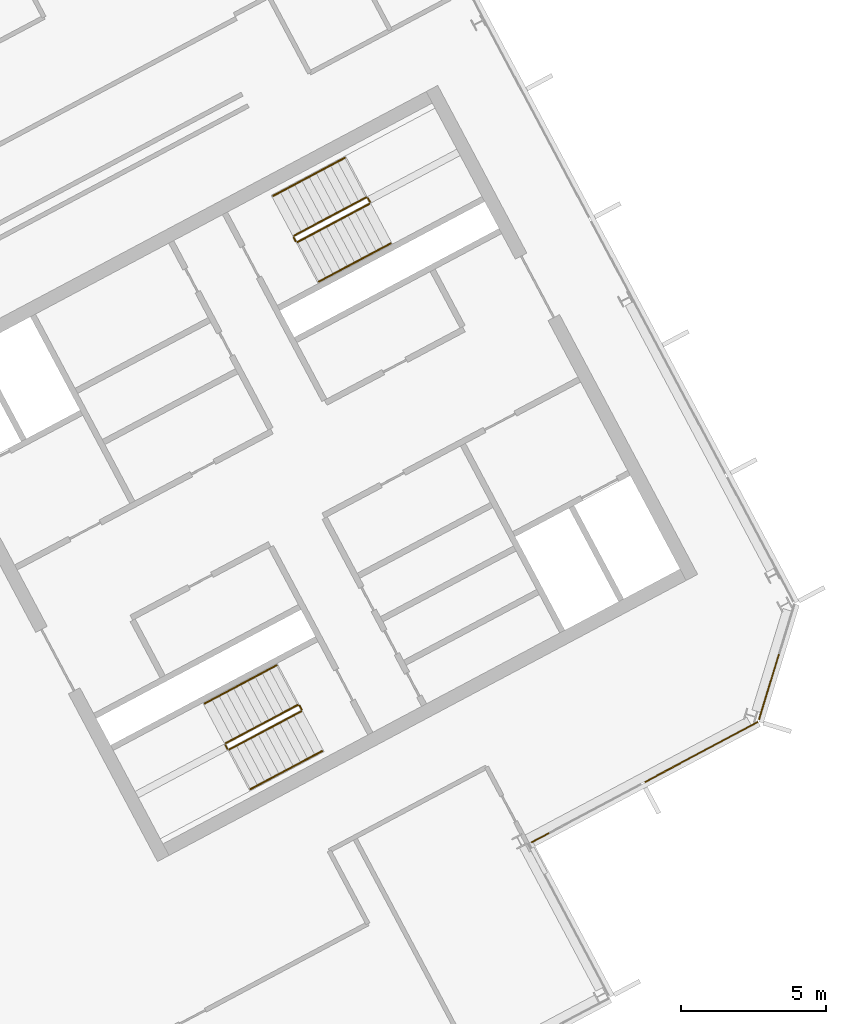
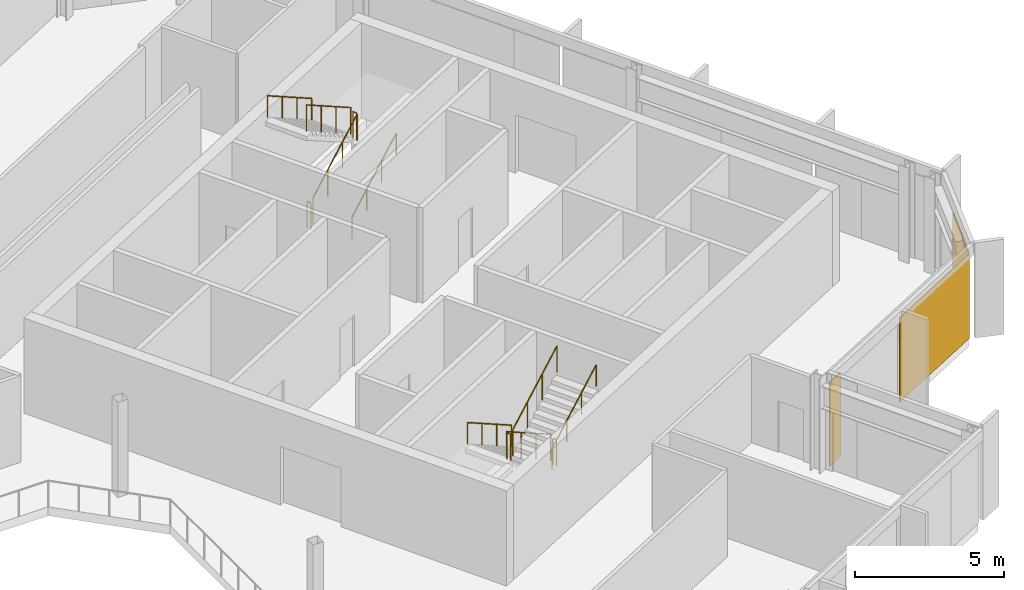
# One storey, part 25 of 26: 12 railings, 3 coverings, 2 elements without a shape of their own.
"""IFC4 building model written with IfcOpenShell, lengths in metres."""

from ifc_helpers import new_model, si_unit, direction, frame, origin, origin_2d, place, context, subcontext, project, spatial, polyline, rectangle, outline, extrude, material, layer, layer_set, type_object, element, aggregate, save


model = new_model("IFC4")

# Units and contexts
model_context = context("Model", 3, precision=1e-05, world=origin(), true_north=direction((0.0, 1.0)))
body_context = subcontext(model_context, "Body", "Model", "MODEL_VIEW")
ifc_project = project(units=[si_unit("LENGTHUNIT", "METRE"), si_unit("AREAUNIT", "SQUARE_METRE"), si_unit("VOLUMEUNIT", "CUBIC_METRE"), si_unit("PLANEANGLEUNIT", "RADIAN"), si_unit("MASSUNIT", "GRAM", prefix="KILO")], contexts=[model_context])

# Site, building, storey
site_placement = place(None, origin())
site = spatial("IfcSite", under=ifc_project, at=site_placement, CompositionType="ELEMENT")
building_placement = place(site_placement, origin())
building = spatial("IfcBuilding", under=site, at=building_placement, Name="Cormorant Relay Tower", CompositionType="ELEMENT")
storey_placement = place(building_placement, frame((0.0, 0.0, 285.300048828125)))
storey = spatial("IfcBuildingStorey", under=building, at=storey_placement, Name="L64", CompositionType="ELEMENT", Elevation=285.300048828125)

# Curtain wall, coverings
ifc_material_1 = material(Name="Aluminium 6063-T6 anodised bronze", Category="aluminium")
ifc_layer_1 = layer(ifc_material_1, 0.199951171875)
ifc_layer_set_1 = layer_set([ifc_layer_1], Name="CW1 unitised bronze curtain wall with vertical fins")
curtain_wall_type = type_object("IfcCurtainWallType", Name="CW1 unitised bronze curtain wall with vertical fins", PredefinedType="NOTDEFINED", material=ifc_layer_set_1)
curtain_wall_1_placement = place(storey_placement, origin())
curtain_wall_1 = element("IfcCurtainWall", 1, at=curtain_wall_1_placement, inside=storey, type_object=curtain_wall_type, Name="CW1 curtain wall 4", PredefinedType="NOTDEFINED")
ifc_material_2 = material(Name="Pale bronze anodised aluminium insulated panel", Category="aluminium")
ifc_layer_2 = layer(ifc_material_2, 0.0400390625)
ifc_layer_set_2 = layer_set([ifc_layer_2], Name="CW1 pale bronze insulated panel 40")
covering_type = type_object("IfcCoveringType", Name="CW1 pale bronze insulated panel 40", PredefinedType="CLADDING", material=ifc_layer_set_2)
covering_1_placement = place(storey_placement, frame((32.204345703125, 0.1123046875, 0.0), z_axis=(0.0, 0.0, 1.0), x_axis=(0.882947592859, 0.469471562786, 0.0)))
covering_1 = element("IfcCovering", 2, at=covering_1_placement, type_object=covering_type, Name="CW1 panel S00", PredefinedType="CLADDING", context=body_context, shape_type="SweptSolid", body=[
    extrude(rectangle(XDim=0.675048828125, YDim=0.0400390625, at=origin_2d()), origin(), (0.0, 0.0, 1.0), 3.449951171875),
])
covering_2_placement = place(storey_placement, frame((37.76708984375, 3.06982421875, 0.0), z_axis=(0.0, 0.0, 1.0), x_axis=(0.882947592859, 0.469471562786, 0.0)))
covering_2 = element("IfcCovering", 3, at=covering_2_placement, type_object=covering_type, Name="CW1 panel S02", PredefinedType="CLADDING", context=body_context, shape_type="SweptSolid", body=[
    extrude(rectangle(XDim=4.425048828125, YDim=0.0400390625, at=origin_2d()), origin(), (0.0, 0.0, 1.0), 3.449951171875),
])
aggregate(curtain_wall_1, [covering_1, covering_2])

# Curtain wall, covering
curtain_wall_2_placement = place(storey_placement, origin())
curtain_wall_2 = element("IfcCurtainWall", 4, at=curtain_wall_2_placement, inside=storey, type_object=curtain_wall_type, Name="CW1 curtain wall 5", PredefinedType="NOTDEFINED")
covering_3_placement = place(storey_placement, frame((40.098388671875, 5.32421875, 0.0), z_axis=(0.0, 0.0, 1.0), x_axis=(0.292371704723, 0.956304755963, 0.0)))
covering_3 = element("IfcCovering", 5, at=covering_3_placement, type_object=covering_type, Name="CW1 panel S00", PredefinedType="CLADDING", context=body_context, shape_type="SweptSolid", body=[
    extrude(rectangle(XDim=2.36767578125, YDim=0.0400390625, at=origin_2d()), origin(), (0.0, 0.0, 1.0), 3.449951171875),
])
aggregate(curtain_wall_2, [covering_3])

# Railings
ifc_material_3 = material(Name="Steel ASTM A572 Grade 50 (Fy 345 MPa)", Category="steel")
railing_type_1 = type_object("IfcRailingType", Name="Stair guard 1100", PredefinedType="GUARDRAIL", material=ifc_material_3)
railing_1_placement = place(storey_placement, frame((23.83837890625, 4.6904296875, 0.17724609375)))
element("IfcRailing", 6, at=railing_1_placement, inside=storey, type_object=railing_type_1, Name="L64 B1 stair guard 1", PredefinedType="GUARDRAIL", context=body_context, shape_type="SweptSolid", body=[
    extrude(outline(polyline([(0.022216796875, 0.00927734375), (0.00927734375, 0.022216796875), (-0.00927734375, 0.022216796875), (-0.022216796875, 0.00927734375), (-0.022216796875, -0.00927734375), (-0.00927734375, -0.022216796875), (0.00927734375, -0.022216796875), (0.022216796875, -0.00927734375), (0.022216796875, 0.00927734375)])), frame((0.0, 0.0, 1.076171875), z_axis=(-0.746033882577, -0.396627473466, 0.534901947407), x_axis=(0.469429322983, -0.882970050864, 0.0)), (0.0, 0.0, 1.0), 3.31396484375),
    extrude(outline(polyline([(0.019287109375, 0.008056640625), (0.008056640625, 0.019287109375), (-0.008056640625, 0.019287109375), (-0.019287109375, 0.008056640625), (-0.019287109375, -0.008056640625), (-0.008056640625, -0.019287109375), (0.008056640625, -0.019287109375), (0.019287109375, -0.008056640625), (0.019287109375, 0.008056640625)])), origin(), (0.0, 0.0, 1.0), 1.052001953125),
    extrude(outline(polyline([(0.019287109375, 0.008056640625), (0.008056640625, 0.019287109375), (-0.008056640625, 0.019287109375), (-0.019287109375, 0.008056640625), (-0.019287109375, -0.008056640625), (-0.008056640625, -0.019287109375), (0.008056640625, -0.019287109375), (0.019287109375, -0.008056640625), (0.019287109375, 0.008056640625)])), frame((-0.82421875, -0.438232421875, 0.5908203125)), (0.0, 0.0, 1.0), 1.052001953125),
    extrude(outline(polyline([(0.019287109375, 0.008056640625), (0.008056640625, 0.019287109375), (-0.008056640625, 0.019287109375), (-0.019287109375, 0.008056640625), (-0.019287109375, -0.008056640625), (-0.008056640625, -0.019287109375), (0.008056640625, -0.019287109375), (0.019287109375, -0.008056640625), (0.019287109375, 0.008056640625)])), frame((-1.648193359375, -0.876220703125, 1.181884765625)), (0.0, 0.0, 1.0), 1.052001953125),
    extrude(outline(polyline([(0.019287109375, 0.008056640625), (0.008056640625, 0.019287109375), (-0.008056640625, 0.019287109375), (-0.019287109375, 0.008056640625), (-0.019287109375, -0.008056640625), (-0.008056640625, -0.019287109375), (0.008056640625, -0.019287109375), (0.019287109375, -0.008056640625), (0.019287109375, 0.008056640625)])), frame((-2.472412109375, -1.314453125, 1.772705078125)), (0.0, 0.0, 1.0), 1.052001953125),
])
railing_2_placement = place(storey_placement, frame((21.345458984375, 3.308349609375, 1.949951171875)))
element("IfcRailing", 7, at=railing_2_placement, inside=storey, type_object=railing_type_1, Name="L64 B1 stair guard 2", PredefinedType="GUARDRAIL", context=body_context, shape_type="SweptSolid", body=[
    extrude(outline(polyline([(0.022216796875, 0.00927734375), (0.00927734375, 0.022216796875), (-0.00927734375, 0.022216796875), (-0.022216796875, 0.00927734375), (-0.022216796875, -0.00927734375), (-0.00927734375, -0.022216796875), (0.00927734375, -0.022216796875), (0.022216796875, -0.00927734375), (0.022216796875, 0.00927734375)])), frame((0.0, 0.0, 1.076171875), z_axis=(0.46856034887, -0.8834314911, 0.0), x_axis=(0.8834314911, 0.46856034887, 0.0)), (0.0, 0.0, 1.0), 0.150146484375),
    extrude(outline(polyline([(0.019287109375, 0.008056640625), (0.008056640625, 0.019287109375), (-0.008056640625, 0.019287109375), (-0.019287109375, 0.008056640625), (-0.019287109375, -0.008056640625), (-0.008056640625, -0.019287109375), (0.008056640625, -0.019287109375), (0.019287109375, -0.008056640625), (0.019287109375, 0.008056640625)])), origin(), (0.0, 0.0, 1.0), 1.052001953125),
    extrude(outline(polyline([(0.019287109375, 0.008056640625), (0.008056640625, 0.019287109375), (-0.008056640625, 0.019287109375), (-0.019287109375, 0.008056640625), (-0.019287109375, -0.008056640625), (-0.008056640625, -0.019287109375), (0.008056640625, -0.019287109375), (0.019287109375, -0.008056640625), (0.019287109375, 0.008056640625)])), frame((0.0703125, -0.132568359375, 0.0)), (0.0, 0.0, 1.0), 1.052001953125),
])
railing_3_placement = place(storey_placement, frame((21.4833984375, 3.1552734375, 2.127197265625)))
element("IfcRailing", 8, at=railing_3_placement, inside=storey, type_object=railing_type_1, Name="L64 B1 stair guard 3", PredefinedType="GUARDRAIL", context=body_context, shape_type="SweptSolid", body=[
    extrude(outline(polyline([(0.022216796875, 0.00927734375), (0.00927734375, 0.022216796875), (-0.00927734375, 0.022216796875), (-0.022216796875, 0.00927734375), (-0.022216796875, -0.00927734375), (-0.00927734375, -0.022216796875), (0.00927734375, -0.022216796875), (0.022216796875, -0.00927734375), (0.022216796875, 0.00927734375)])), frame((0.0, 0.0, 1.076171875), z_axis=(0.746001213114, 0.396649272309, 0.534931345884), x_axis=(-0.469465464807, 0.882950835185, 0.0)), (0.0, 0.0, 1.0), 3.31396484375),
    extrude(outline(polyline([(0.019287109375, 0.008056640625), (0.008056640625, 0.019287109375), (-0.008056640625, 0.019287109375), (-0.019287109375, 0.008056640625), (-0.019287109375, -0.008056640625), (-0.008056640625, -0.019287109375), (0.008056640625, -0.019287109375), (0.019287109375, -0.008056640625), (0.019287109375, 0.008056640625)])), origin(), (0.0, 0.0, 1.0), 1.052001953125),
    extrude(outline(polyline([(0.019287109375, 0.008056640625), (0.008056640625, 0.019287109375), (-0.008056640625, 0.019287109375), (-0.019287109375, 0.008056640625), (-0.019287109375, -0.008056640625), (-0.008056640625, -0.019287109375), (0.008056640625, -0.019287109375), (0.019287109375, -0.008056640625), (0.019287109375, 0.008056640625)])), frame((0.823974609375, 0.438232421875, 0.5908203125)), (0.0, 0.0, 1.0), 1.052001953125),
    extrude(outline(polyline([(0.019287109375, 0.008056640625), (0.008056640625, 0.019287109375), (-0.008056640625, 0.019287109375), (-0.019287109375, 0.008056640625), (-0.019287109375, -0.008056640625), (-0.008056640625, -0.019287109375), (0.008056640625, -0.019287109375), (0.019287109375, -0.008056640625), (0.019287109375, 0.008056640625)])), frame((1.648193359375, 0.876220703125, 1.181884765625)), (0.0, 0.0, 1.0), 1.052001953125),
    extrude(outline(polyline([(0.019287109375, 0.008056640625), (0.008056640625, 0.019287109375), (-0.008056640625, 0.019287109375), (-0.019287109375, 0.008056640625), (-0.019287109375, -0.008056640625), (-0.008056640625, -0.019287109375), (0.008056640625, -0.019287109375), (0.019287109375, -0.008056640625), (0.019287109375, 0.008056640625)])), frame((2.47216796875, 1.314453125, 1.772705078125)), (0.0, 0.0, 1.0), 1.052001953125),
])
railing_4_placement = place(storey_placement, frame((23.906005859375, 4.669677734375, 0.0)))
element("IfcRailing", 9, at=railing_4_placement, inside=storey, type_object=railing_type_1, Name="L64 B1 stair guard 4", PredefinedType="GUARDRAIL", context=body_context, shape_type="SweptSolid", body=[
    extrude(outline(polyline([(0.022216796875, 0.00927734375), (0.00927734375, 0.022216796875), (-0.00927734375, 0.022216796875), (-0.022216796875, 0.00927734375), (-0.022216796875, -0.00927734375), (-0.00927734375, -0.022216796875), (0.00927734375, -0.022216796875), (0.022216796875, -0.00927734375), (0.022216796875, 0.00927734375)])), frame((0.0, 0.0, 1.076171875), z_axis=(0.469234640946, -0.883073525669, 0.0), x_axis=(0.883073525669, 0.469234640946, 0.0)), (0.0, 0.0, 1.0), 0.14990234375),
    extrude(outline(polyline([(0.019287109375, 0.008056640625), (0.008056640625, 0.019287109375), (-0.008056640625, 0.019287109375), (-0.019287109375, 0.008056640625), (-0.019287109375, -0.008056640625), (-0.008056640625, -0.019287109375), (0.008056640625, -0.019287109375), (0.019287109375, -0.008056640625), (0.019287109375, 0.008056640625)])), origin(), (0.0, 0.0, 1.0), 1.052001953125),
    extrude(outline(polyline([(0.019287109375, 0.008056640625), (0.008056640625, 0.019287109375), (-0.008056640625, 0.019287109375), (-0.019287109375, 0.008056640625), (-0.019287109375, -0.008056640625), (-0.008056640625, -0.019287109375), (0.008056640625, -0.019287109375), (0.019287109375, -0.008056640625), (0.019287109375, 0.008056640625)])), frame((0.0703125, -0.13232421875, 0.0)), (0.0, 0.0, 1.0), 1.052001953125),
])
railing_5_placement = place(storey_placement, frame((23.8408203125, 20.6611328125, 0.17724609375)))
element("IfcRailing", 10, at=railing_5_placement, inside=storey, type_object=railing_type_1, Name="L64 B2 stair guard 1", PredefinedType="GUARDRAIL", context=body_context, shape_type="SweptSolid", body=[
    extrude(outline(polyline([(0.022216796875, 0.00927734375), (0.00927734375, 0.022216796875), (-0.00927734375, 0.022216796875), (-0.022216796875, 0.00927734375), (-0.022216796875, -0.00927734375), (-0.00927734375, -0.022216796875), (0.00927734375, -0.022216796875), (0.022216796875, -0.00927734375), (0.022216796875, 0.00927734375)])), frame((0.0, 0.0, 1.076171875), z_axis=(0.746033882577, 0.396627473466, 0.534901947407), x_axis=(-0.469429322983, 0.882970050864, 0.0)), (0.0, 0.0, 1.0), 3.31396484375),
    extrude(outline(polyline([(0.019287109375, 0.008056640625), (0.008056640625, 0.019287109375), (-0.008056640625, 0.019287109375), (-0.019287109375, 0.008056640625), (-0.019287109375, -0.008056640625), (-0.008056640625, -0.019287109375), (0.008056640625, -0.019287109375), (0.019287109375, -0.008056640625), (0.019287109375, 0.008056640625)])), origin(), (0.0, 0.0, 1.0), 1.052001953125),
    extrude(outline(polyline([(0.019287109375, 0.008056640625), (0.008056640625, 0.019287109375), (-0.008056640625, 0.019287109375), (-0.019287109375, 0.008056640625), (-0.019287109375, -0.008056640625), (-0.008056640625, -0.019287109375), (0.008056640625, -0.019287109375), (0.019287109375, -0.008056640625), (0.019287109375, 0.008056640625)])), frame((0.82421875, 0.438232421875, 0.5908203125)), (0.0, 0.0, 1.0), 1.052001953125),
    extrude(outline(polyline([(0.019287109375, 0.008056640625), (0.008056640625, 0.019287109375), (-0.008056640625, 0.019287109375), (-0.019287109375, 0.008056640625), (-0.019287109375, -0.008056640625), (-0.008056640625, -0.019287109375), (0.008056640625, -0.019287109375), (0.019287109375, -0.008056640625), (0.019287109375, 0.008056640625)])), frame((1.648193359375, 0.876220703125, 1.181884765625)), (0.0, 0.0, 1.0), 1.052001953125),
    extrude(outline(polyline([(0.019287109375, 0.008056640625), (0.008056640625, 0.019287109375), (-0.008056640625, 0.019287109375), (-0.019287109375, 0.008056640625), (-0.019287109375, -0.008056640625), (-0.008056640625, -0.019287109375), (0.008056640625, -0.019287109375), (0.019287109375, -0.008056640625), (0.019287109375, 0.008056640625)])), frame((2.472412109375, 1.314453125, 1.772705078125)), (0.0, 0.0, 1.0), 1.052001953125),
])
railing_6_placement = place(storey_placement, frame((26.333740234375, 22.043212890625, 1.949951171875)))
element("IfcRailing", 11, at=railing_6_placement, inside=storey, type_object=railing_type_1, Name="L64 B2 stair guard 2", PredefinedType="GUARDRAIL", context=body_context, shape_type="SweptSolid", body=[
    extrude(outline(polyline([(0.022216796875, 0.00927734375), (0.00927734375, 0.022216796875), (-0.00927734375, 0.022216796875), (-0.022216796875, 0.00927734375), (-0.022216796875, -0.00927734375), (-0.00927734375, -0.022216796875), (0.00927734375, -0.022216796875), (0.022216796875, -0.00927734375), (0.022216796875, 0.00927734375)])), frame((0.0, 0.0, 1.076171875), z_axis=(-0.469234640946, 0.883073525669, 0.0), x_axis=(-0.883073525669, -0.469234640946, 0.0)), (0.0, 0.0, 1.0), 0.14990234375),
    extrude(outline(polyline([(0.019287109375, 0.008056640625), (0.008056640625, 0.019287109375), (-0.008056640625, 0.019287109375), (-0.019287109375, 0.008056640625), (-0.019287109375, -0.008056640625), (-0.008056640625, -0.019287109375), (0.008056640625, -0.019287109375), (0.019287109375, -0.008056640625), (0.019287109375, 0.008056640625)])), origin(), (0.0, 0.0, 1.0), 1.052001953125),
    extrude(outline(polyline([(0.019287109375, 0.008056640625), (0.008056640625, 0.019287109375), (-0.008056640625, 0.019287109375), (-0.019287109375, 0.008056640625), (-0.019287109375, -0.008056640625), (-0.008056640625, -0.019287109375), (0.008056640625, -0.019287109375), (0.019287109375, -0.008056640625), (0.019287109375, 0.008056640625)])), frame((-0.0703125, 0.13232421875, 0.0)), (0.0, 0.0, 1.0), 1.052001953125),
])
railing_7_placement = place(storey_placement, frame((26.19580078125, 22.1962890625, 2.127197265625)))
element("IfcRailing", 12, at=railing_7_placement, inside=storey, type_object=railing_type_1, Name="L64 B2 stair guard 3", PredefinedType="GUARDRAIL", context=body_context, shape_type="SweptSolid", body=[
    extrude(outline(polyline([(0.022216796875, 0.00927734375), (0.00927734375, 0.022216796875), (-0.00927734375, 0.022216796875), (-0.022216796875, 0.00927734375), (-0.022216796875, -0.00927734375), (-0.00927734375, -0.022216796875), (0.00927734375, -0.022216796875), (0.022216796875, -0.00927734375), (0.022216796875, 0.00927734375)])), frame((0.0, 0.0, 1.076171875), z_axis=(-0.746033882577, -0.396627473466, 0.534901947407), x_axis=(0.469429322983, -0.882970050864, 0.0)), (0.0, 0.0, 1.0), 3.31396484375),
    extrude(outline(polyline([(0.019287109375, 0.008056640625), (0.008056640625, 0.019287109375), (-0.008056640625, 0.019287109375), (-0.019287109375, 0.008056640625), (-0.019287109375, -0.008056640625), (-0.008056640625, -0.019287109375), (0.008056640625, -0.019287109375), (0.019287109375, -0.008056640625), (0.019287109375, 0.008056640625)])), origin(), (0.0, 0.0, 1.0), 1.052001953125),
    extrude(outline(polyline([(0.019287109375, 0.008056640625), (0.008056640625, 0.019287109375), (-0.008056640625, 0.019287109375), (-0.019287109375, 0.008056640625), (-0.019287109375, -0.008056640625), (-0.008056640625, -0.019287109375), (0.008056640625, -0.019287109375), (0.019287109375, -0.008056640625), (0.019287109375, 0.008056640625)])), frame((-0.82421875, -0.438232421875, 0.5908203125)), (0.0, 0.0, 1.0), 1.052001953125),
    extrude(outline(polyline([(0.019287109375, 0.008056640625), (0.008056640625, 0.019287109375), (-0.008056640625, 0.019287109375), (-0.019287109375, 0.008056640625), (-0.019287109375, -0.008056640625), (-0.008056640625, -0.019287109375), (0.008056640625, -0.019287109375), (0.019287109375, -0.008056640625), (0.019287109375, 0.008056640625)])), frame((-1.648193359375, -0.876220703125, 1.181884765625)), (0.0, 0.0, 1.0), 1.052001953125),
    extrude(outline(polyline([(0.019287109375, 0.008056640625), (0.008056640625, 0.019287109375), (-0.008056640625, 0.019287109375), (-0.019287109375, 0.008056640625), (-0.019287109375, -0.008056640625), (-0.008056640625, -0.019287109375), (0.008056640625, -0.019287109375), (0.019287109375, -0.008056640625), (0.019287109375, 0.008056640625)])), frame((-2.472412109375, -1.314453125, 1.772705078125)), (0.0, 0.0, 1.0), 1.052001953125),
])
railing_8_placement = place(storey_placement, frame((23.773193359375, 20.681640625, 0.0)))
element("IfcRailing", 13, at=railing_8_placement, inside=storey, type_object=railing_type_1, Name="L64 B2 stair guard 4", PredefinedType="GUARDRAIL", context=body_context, shape_type="SweptSolid", body=[
    extrude(outline(polyline([(0.022216796875, 0.00927734375), (0.00927734375, 0.022216796875), (-0.00927734375, 0.022216796875), (-0.022216796875, 0.00927734375), (-0.022216796875, -0.00927734375), (-0.00927734375, -0.022216796875), (0.00927734375, -0.022216796875), (0.022216796875, -0.00927734375), (0.022216796875, 0.00927734375)])), frame((0.0, 0.0, 1.076171875), z_axis=(-0.46856034887, 0.8834314911, 0.0), x_axis=(-0.8834314911, -0.46856034887, 0.0)), (0.0, 0.0, 1.0), 0.150146484375),
    extrude(outline(polyline([(0.019287109375, 0.008056640625), (0.008056640625, 0.019287109375), (-0.008056640625, 0.019287109375), (-0.019287109375, 0.008056640625), (-0.019287109375, -0.008056640625), (-0.008056640625, -0.019287109375), (0.008056640625, -0.019287109375), (0.019287109375, -0.008056640625), (0.019287109375, 0.008056640625)])), origin(), (0.0, 0.0, 1.0), 1.052001953125),
    extrude(outline(polyline([(0.019287109375, 0.008056640625), (0.008056640625, 0.019287109375), (-0.008056640625, 0.019287109375), (-0.019287109375, 0.008056640625), (-0.019287109375, -0.008056640625), (-0.008056640625, -0.019287109375), (0.008056640625, -0.019287109375), (0.019287109375, -0.008056640625), (0.019287109375, 0.008056640625)])), frame((-0.0703125, 0.132568359375, 0.0)), (0.0, 0.0, 1.0), 1.052001953125),
])
ifc_material_4 = material(Name="Steel ASTM A572 Grade 50 (Fy 345 MPa)", Category="steel")
railing_type_2 = type_object("IfcRailingType", Name="Stair handrail 900", PredefinedType="HANDRAIL", material=ifc_material_4)
railing_9_placement = place(storey_placement, frame((23.110595703125, 6.05908203125, 0.17724609375)))
element("IfcRailing", 14, at=railing_9_placement, inside=storey, type_object=railing_type_2, Name="L64 B1 stair handrail 1", PredefinedType="HANDRAIL", context=body_context, shape_type="SweptSolid", body=[
    extrude(outline(polyline([(0.022216796875, 0.00927734375), (0.00927734375, 0.022216796875), (-0.00927734375, 0.022216796875), (-0.022216796875, 0.00927734375), (-0.022216796875, -0.00927734375), (-0.00927734375, -0.022216796875), (0.00927734375, -0.022216796875), (0.022216796875, -0.00927734375), (0.022216796875, 0.00927734375)])), frame((0.0, 0.0, 0.8759765625), z_axis=(-0.745979412481, -0.396711350603, 0.534915713414), x_axis=(0.469533439143, -0.882914689835, 0.0)), (0.0, 0.0, 1.0), 3.31396484375),
    extrude(outline(polyline([(0.019287109375, 0.008056640625), (0.008056640625, 0.019287109375), (-0.008056640625, 0.019287109375), (-0.019287109375, 0.008056640625), (-0.019287109375, -0.008056640625), (-0.008056640625, -0.019287109375), (0.008056640625, -0.019287109375), (0.019287109375, -0.008056640625), (0.019287109375, 0.008056640625)])), origin(), (0.0, 0.0, 1.0), 0.851806640625),
    extrude(outline(polyline([(0.019287109375, 0.008056640625), (0.008056640625, 0.019287109375), (-0.008056640625, 0.019287109375), (-0.019287109375, 0.008056640625), (-0.019287109375, -0.008056640625), (-0.008056640625, -0.019287109375), (0.008056640625, -0.019287109375), (0.019287109375, -0.008056640625), (0.019287109375, 0.008056640625)])), frame((-0.823974609375, -0.438232421875, 0.5908203125)), (0.0, 0.0, 1.0), 0.851806640625),
    extrude(outline(polyline([(0.019287109375, 0.008056640625), (0.008056640625, 0.019287109375), (-0.008056640625, 0.019287109375), (-0.019287109375, 0.008056640625), (-0.019287109375, -0.008056640625), (-0.008056640625, -0.019287109375), (0.008056640625, -0.019287109375), (0.019287109375, -0.008056640625), (0.019287109375, 0.008056640625)])), frame((-1.648193359375, -0.87646484375, 1.181884765625)), (0.0, 0.0, 1.0), 0.851806640625),
    extrude(outline(polyline([(0.019287109375, 0.008056640625), (0.008056640625, 0.019287109375), (-0.008056640625, 0.019287109375), (-0.019287109375, 0.008056640625), (-0.019287109375, -0.008056640625), (-0.008056640625, -0.019287109375), (0.008056640625, -0.019287109375), (0.019287109375, -0.008056640625), (0.019287109375, 0.008056640625)])), frame((-2.47216796875, -1.314697265625, 1.772705078125)), (0.0, 0.0, 1.0), 0.851806640625),
])
railing_10_placement = place(storey_placement, frame((22.211181640625, 1.78662109375, 2.127197265625)))
element("IfcRailing", 15, at=railing_10_placement, inside=storey, type_object=railing_type_2, Name="L64 B1 stair handrail 2", PredefinedType="HANDRAIL", context=body_context, shape_type="SweptSolid", body=[
    extrude(outline(polyline([(0.022216796875, 0.00927734375), (0.00927734375, 0.022216796875), (-0.00927734375, 0.022216796875), (-0.022216796875, 0.00927734375), (-0.022216796875, -0.00927734375), (-0.00927734375, -0.022216796875), (0.00927734375, -0.022216796875), (0.022216796875, -0.00927734375), (0.022216796875, 0.00927734375)])), frame((0.0, 0.0, 0.8759765625), z_axis=(0.746001213114, 0.396649272309, 0.534931345884), x_axis=(-0.469465464807, 0.882950835185, 0.0)), (0.0, 0.0, 1.0), 3.31396484375),
    extrude(outline(polyline([(0.019287109375, 0.008056640625), (0.008056640625, 0.019287109375), (-0.008056640625, 0.019287109375), (-0.019287109375, 0.008056640625), (-0.019287109375, -0.008056640625), (-0.008056640625, -0.019287109375), (0.008056640625, -0.019287109375), (0.019287109375, -0.008056640625), (0.019287109375, 0.008056640625)])), origin(), (0.0, 0.0, 1.0), 0.851806640625),
    extrude(outline(polyline([(0.019287109375, 0.008056640625), (0.008056640625, 0.019287109375), (-0.008056640625, 0.019287109375), (-0.019287109375, 0.008056640625), (-0.019287109375, -0.008056640625), (-0.008056640625, -0.019287109375), (0.008056640625, -0.019287109375), (0.019287109375, -0.008056640625), (0.019287109375, 0.008056640625)])), frame((0.823974609375, 0.438232421875, 0.5908203125)), (0.0, 0.0, 1.0), 0.851806640625),
    extrude(outline(polyline([(0.019287109375, 0.008056640625), (0.008056640625, 0.019287109375), (-0.008056640625, 0.019287109375), (-0.019287109375, 0.008056640625), (-0.019287109375, -0.008056640625), (-0.008056640625, -0.019287109375), (0.008056640625, -0.019287109375), (0.019287109375, -0.008056640625), (0.019287109375, 0.008056640625)])), frame((1.648193359375, 0.876220703125, 1.181884765625)), (0.0, 0.0, 1.0), 0.851806640625),
    extrude(outline(polyline([(0.019287109375, 0.008056640625), (0.008056640625, 0.019287109375), (-0.008056640625, 0.019287109375), (-0.019287109375, 0.008056640625), (-0.019287109375, -0.008056640625), (-0.008056640625, -0.019287109375), (0.008056640625, -0.019287109375), (0.019287109375, -0.008056640625), (0.019287109375, 0.008056640625)])), frame((2.47216796875, 1.314453125, 1.772705078125)), (0.0, 0.0, 1.0), 0.851806640625),
])
railing_11_placement = place(storey_placement, frame((24.568603515625, 19.29248046875, 0.17724609375)))
element("IfcRailing", 16, at=railing_11_placement, inside=storey, type_object=railing_type_2, Name="L64 B2 stair handrail 1", PredefinedType="HANDRAIL", context=body_context, shape_type="SweptSolid", body=[
    extrude(outline(polyline([(0.022216796875, 0.00927734375), (0.00927734375, 0.022216796875), (-0.00927734375, 0.022216796875), (-0.022216796875, 0.00927734375), (-0.022216796875, -0.00927734375), (-0.00927734375, -0.022216796875), (0.00927734375, -0.022216796875), (0.022216796875, -0.00927734375), (0.022216796875, 0.00927734375)])), frame((0.0, 0.0, 0.8759765625), z_axis=(0.746001213114, 0.396649272309, 0.534931345884), x_axis=(-0.469465464807, 0.882950835185, 0.0)), (0.0, 0.0, 1.0), 3.31396484375),
    extrude(outline(polyline([(0.019287109375, 0.008056640625), (0.008056640625, 0.019287109375), (-0.008056640625, 0.019287109375), (-0.019287109375, 0.008056640625), (-0.019287109375, -0.008056640625), (-0.008056640625, -0.019287109375), (0.008056640625, -0.019287109375), (0.019287109375, -0.008056640625), (0.019287109375, 0.008056640625)])), origin(), (0.0, 0.0, 1.0), 0.851806640625),
    extrude(outline(polyline([(0.019287109375, 0.008056640625), (0.008056640625, 0.019287109375), (-0.008056640625, 0.019287109375), (-0.019287109375, 0.008056640625), (-0.019287109375, -0.008056640625), (-0.008056640625, -0.019287109375), (0.008056640625, -0.019287109375), (0.019287109375, -0.008056640625), (0.019287109375, 0.008056640625)])), frame((0.823974609375, 0.438232421875, 0.5908203125)), (0.0, 0.0, 1.0), 0.851806640625),
    extrude(outline(polyline([(0.019287109375, 0.008056640625), (0.008056640625, 0.019287109375), (-0.008056640625, 0.019287109375), (-0.019287109375, 0.008056640625), (-0.019287109375, -0.008056640625), (-0.008056640625, -0.019287109375), (0.008056640625, -0.019287109375), (0.019287109375, -0.008056640625), (0.019287109375, 0.008056640625)])), frame((1.648193359375, 0.876220703125, 1.181884765625)), (0.0, 0.0, 1.0), 0.851806640625),
    extrude(outline(polyline([(0.019287109375, 0.008056640625), (0.008056640625, 0.019287109375), (-0.008056640625, 0.019287109375), (-0.019287109375, 0.008056640625), (-0.019287109375, -0.008056640625), (-0.008056640625, -0.019287109375), (0.008056640625, -0.019287109375), (0.019287109375, -0.008056640625), (0.019287109375, 0.008056640625)])), frame((2.47216796875, 1.314453125, 1.772705078125)), (0.0, 0.0, 1.0), 0.851806640625),
])
railing_12_placement = place(storey_placement, frame((25.468017578125, 23.56494140625, 2.127197265625)))
element("IfcRailing", 17, at=railing_12_placement, inside=storey, type_object=railing_type_2, Name="L64 B2 stair handrail 2", PredefinedType="HANDRAIL", context=body_context, shape_type="SweptSolid", body=[
    extrude(outline(polyline([(0.022216796875, 0.00927734375), (0.00927734375, 0.022216796875), (-0.00927734375, 0.022216796875), (-0.022216796875, 0.00927734375), (-0.022216796875, -0.00927734375), (-0.00927734375, -0.022216796875), (0.00927734375, -0.022216796875), (0.022216796875, -0.00927734375), (0.022216796875, 0.00927734375)])), frame((0.0, 0.0, 0.8759765625), z_axis=(-0.745979412481, -0.396711350603, 0.534915713414), x_axis=(0.469533439143, -0.882914689835, 0.0)), (0.0, 0.0, 1.0), 3.31396484375),
    extrude(outline(polyline([(0.019287109375, 0.008056640625), (0.008056640625, 0.019287109375), (-0.008056640625, 0.019287109375), (-0.019287109375, 0.008056640625), (-0.019287109375, -0.008056640625), (-0.008056640625, -0.019287109375), (0.008056640625, -0.019287109375), (0.019287109375, -0.008056640625), (0.019287109375, 0.008056640625)])), origin(), (0.0, 0.0, 1.0), 0.851806640625),
    extrude(outline(polyline([(0.019287109375, 0.008056640625), (0.008056640625, 0.019287109375), (-0.008056640625, 0.019287109375), (-0.019287109375, 0.008056640625), (-0.019287109375, -0.008056640625), (-0.008056640625, -0.019287109375), (0.008056640625, -0.019287109375), (0.019287109375, -0.008056640625), (0.019287109375, 0.008056640625)])), frame((-0.823974609375, -0.438232421875, 0.5908203125)), (0.0, 0.0, 1.0), 0.851806640625),
    extrude(outline(polyline([(0.019287109375, 0.008056640625), (0.008056640625, 0.019287109375), (-0.008056640625, 0.019287109375), (-0.019287109375, 0.008056640625), (-0.019287109375, -0.008056640625), (-0.008056640625, -0.019287109375), (0.008056640625, -0.019287109375), (0.019287109375, -0.008056640625), (0.019287109375, 0.008056640625)])), frame((-1.648193359375, -0.87646484375, 1.181884765625)), (0.0, 0.0, 1.0), 0.851806640625),
    extrude(outline(polyline([(0.019287109375, 0.008056640625), (0.008056640625, 0.019287109375), (-0.008056640625, 0.019287109375), (-0.019287109375, 0.008056640625), (-0.019287109375, -0.008056640625), (-0.008056640625, -0.019287109375), (0.008056640625, -0.019287109375), (0.019287109375, -0.008056640625), (0.019287109375, 0.008056640625)])), frame((-2.47216796875, -1.314697265625, 1.772705078125)), (0.0, 0.0, 1.0), 0.851806640625),
])

save(model, "model.ifc")
